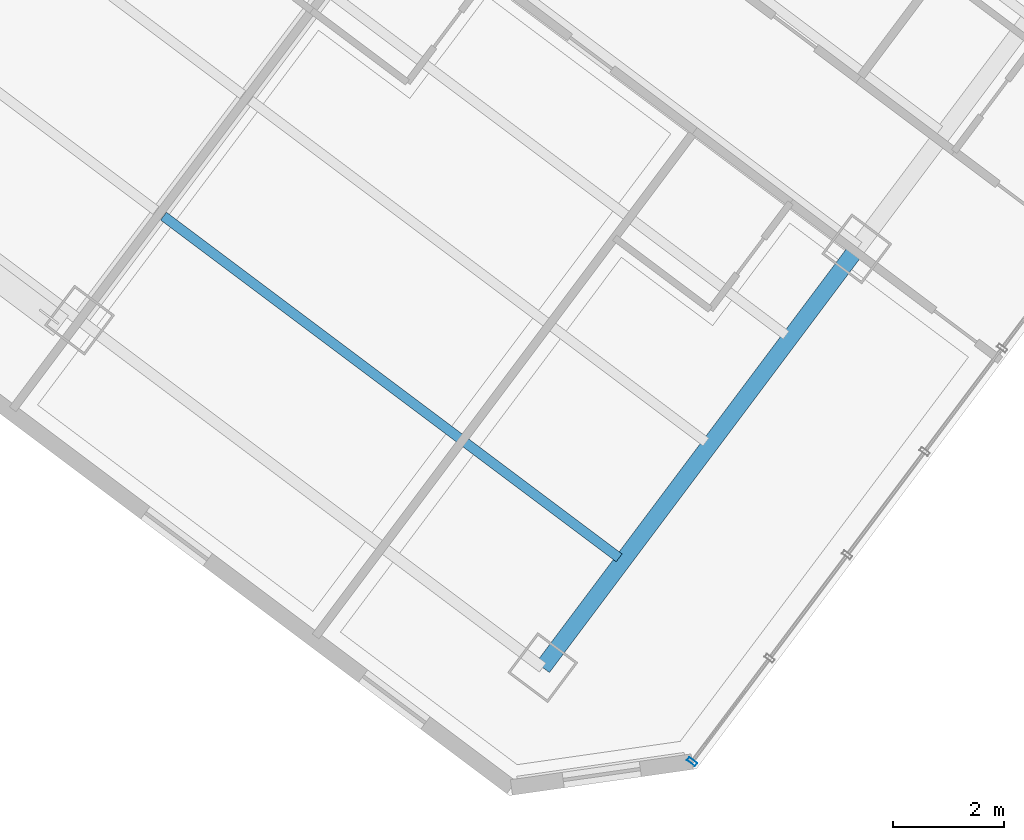
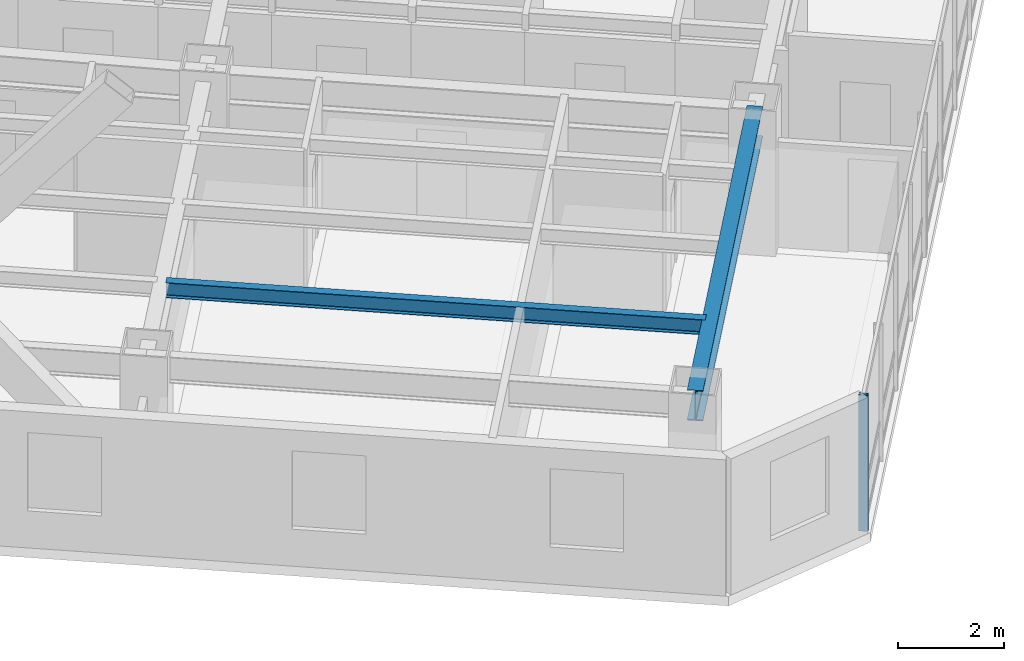
# One storey, part 6 of 30: 2 beams, 1 member, 1 element without a shape of its own.
"""IFC4 building model written with IfcOpenShell, lengths in metres."""

import ifcopenshell
import ifcopenshell.guid

model = None  # the IFC model being written
_history = None  # IfcOwnerHistory: only IFC2X3 demands one
_inside = {}  # id of a spatial element -> (the spatial element, [elements in it])
_under = {}  # id of a project, library or spatial element -> (it, [spatial elements below it])
_declared = {}  # id of a project -> (the project, [libraries it declares])
_typed = {}  # id of a type object -> (the type object, [elements of that type])
_made_of = {}  # id of a material, layer set ... -> (it, [elements and type objects made of it])


def new_model(schema):
    """Start an empty IFC model of exactly this schema.

    Asked for "IFC4X3", IfcOpenShell would pick the latest addendum, in which some entities
    have other attributes; the version numbers below select the first issue.
    IFC2X3 requires an IfcOwnerHistory on every rooted entity: one is made here for all.
    """
    global model, _history
    if schema == "IFC4X3":
        model = ifcopenshell.file(schema_version=(4, 3, 0, 0))
    else:
        model = ifcopenshell.file(schema=schema)
    _inside.clear()
    _under.clear()
    _declared.clear()
    _typed.clear()
    _made_of.clear()
    _history = None
    if model.schema == "IFC2X3":
        org = make("IfcOrganization", Name="unknown")
        user = make(
            "IfcPersonAndOrganization",
            ThePerson=make("IfcPerson", FamilyName="unknown"),
            TheOrganization=org,
        )
        app = make(
            "IfcApplication",
            ApplicationDeveloper=org,
            Version="unknown",
            ApplicationFullName="unknown",
            ApplicationIdentifier="unknown",
        )
        _history = make(
            "IfcOwnerHistory",
            OwningUser=user,
            OwningApplication=app,
            ChangeAction="ADDED",
            CreationDate=0,
        )
    return model


def make(cls, **values):
    """One entity of the class cls with the attributes given. An attribute that is None is left unset."""
    return model.create_entity(
        cls, **{name: value for name, value in values.items() if value is not None}
    )


def rooted(cls, **values):
    """An entity with a GlobalId (a new one), such as an element, a storey or a relation."""
    return make(cls, GlobalId=ifcopenshell.guid.new(), OwnerHistory=_history, **values)


def si_unit(unit_type, name, prefix=None):
    """IfcSIUnit, for example si_unit("LENGTHUNIT", "METRE", prefix="MILLI")."""
    return make("IfcSIUnit", UnitType=unit_type, Prefix=prefix, Name=name)


def assignment(units):
    """IfcUnitAssignment: the units of a project."""
    return None if units is None else make("IfcUnitAssignment", Units=units)


def point(xyz):
    """IfcCartesianPoint."""
    return None if xyz is None else make("IfcCartesianPoint", Coordinates=xyz)


def direction(xyz):
    """IfcDirection."""
    return None if xyz is None else make("IfcDirection", DirectionRatios=xyz)


def frame(location, z_axis=None, x_axis=None):
    """IfcAxis2Placement3D, a coordinate frame: its origin and axes. An axis left out is left unset."""
    return make(
        "IfcAxis2Placement3D",
        Location=point(location),
        Axis=direction(z_axis),
        RefDirection=direction(x_axis),
    )


def frame_2d(location, x_axis=None):
    """IfcAxis2Placement2D, a coordinate frame in the plane: its origin and x axis."""
    return make(
        "IfcAxis2Placement2D", Location=point(location), RefDirection=direction(x_axis)
    )


def origin():
    """The frame at (0, 0, 0) with its axes left unset."""
    return frame((0.0, 0.0, 0.0))


def origin_2d():
    """The frame at (0, 0) in the plane with its x axis left unset."""
    return frame_2d((0.0, 0.0))


def place(relative_to, where):
    """IfcLocalPlacement: puts the frame where relative to a parent placement (None: the world)."""
    return make(
        "IfcLocalPlacement", PlacementRelTo=relative_to, RelativePlacement=where
    )


def context(
    kind, dimensions, precision=None, world=None, true_north=None, identifier=None
):
    """IfcGeometricRepresentationContext, for example the 3D "Model" context."""
    return make(
        "IfcGeometricRepresentationContext",
        ContextIdentifier=identifier,
        ContextType=kind,
        CoordinateSpaceDimension=dimensions,
        Precision=precision,
        WorldCoordinateSystem=world,
        TrueNorth=true_north,
    )


def subcontext(parent, identifier, kind, view, scale=None):
    """IfcGeometricRepresentationSubContext, for example "Body" below "Model"."""
    return make(
        "IfcGeometricRepresentationSubContext",
        ContextIdentifier=identifier,
        ContextType=kind,
        ParentContext=parent,
        TargetScale=scale,
        TargetView=view,
    )


def project(units=None, contexts=None):
    """IfcProject with its units and contexts."""
    return rooted(
        "IfcProject",
        Name="project",
        RepresentationContexts=contexts,
        UnitsInContext=assignment(units),
    )


def spatial(cls, under=None, at=None, **own):
    """A site, building, storey or space (cls), placed at a placement, below another one or the project."""
    s = rooted(cls, ObjectPlacement=at, **own)
    if under is not None:
        _under.setdefault(under.id(), (under, []))[1].append(s)
    return s


def profile(cls, at=None, kind="AREA", **sizes):
    """A parametric profile (cls). Its sizes go by their IFC names, for example OverallWidth=200.0."""
    return make(cls, ProfileType=kind, Position=at, **sizes)


def hollow_rectangle(**sizes):
    """IfcRectangleHollowProfileDef."""
    return profile("IfcRectangleHollowProfileDef", **sizes)


def i_section(**sizes):
    """IfcIShapeProfileDef."""
    return profile("IfcIShapeProfileDef", **sizes)


def extrude(swept, where, along, depth):
    """IfcExtrudedAreaSolid: the profile swept, set in the frame where, extruded along a direction by depth."""
    return make(
        "IfcExtrudedAreaSolid",
        SweptArea=swept,
        Position=where,
        ExtrudedDirection=direction(along),
        Depth=depth,
    )


def shape(context_of_items, identifier, shape_type, items):
    """IfcShapeRepresentation: the items that make up one representation, for example the "Body"."""
    return make(
        "IfcShapeRepresentation",
        ContextOfItems=context_of_items,
        RepresentationIdentifier=identifier,
        RepresentationType=shape_type,
        Items=items,
    )


def material(Name=None, Category=None):
    """IfcMaterial."""
    return make("IfcMaterial", Name=Name, Category=Category)


def layer(
    of_material, thickness, ventilated=None, Name=None, Category=None, Priority=None
):
    """IfcMaterialLayer: one layer of a wall or slab, of a material (None: an air gap)."""
    return make(
        "IfcMaterialLayer",
        Material=of_material,
        LayerThickness=thickness,
        IsVentilated=ventilated,
        Name=Name,
        Category=Category,
        Priority=Priority,
    )


def layer_set(layers, Name=None):
    """IfcMaterialLayerSet."""
    return make("IfcMaterialLayerSet", MaterialLayers=layers, LayerSetName=Name)


def material_profile(
    of_material, cross_section, Name=None, Category=None, Priority=None
):
    """IfcMaterialProfile: a cross section and its material."""
    return make(
        "IfcMaterialProfile",
        Name=Name,
        Material=of_material,
        Profile=cross_section,
        Priority=Priority,
        Category=Category,
    )


def profile_set(profiles, Name=None, composite=None):
    """IfcMaterialProfileSet."""
    return make(
        "IfcMaterialProfileSet",
        Name=Name,
        MaterialProfiles=profiles,
        CompositeProfile=composite,
    )


def made_of(thing, what):
    """Note that an element or type object is made of a material, layer set ...; save() writes the relation."""
    if what is not None:
        _made_of.setdefault(what.id(), (what, []))[1].append(thing)
    return thing


def type_object(cls, material=None, **own):
    """A type object (cls), such as IfcWallType, which elements share."""
    return made_of(rooted(cls, **own), material)


def element(
    cls,
    number,
    at=None,
    inside=None,
    cuts=None,
    type_object=None,
    material=None,
    context=None,
    identifier="Body",
    shape_type=None,
    held_by="IfcProductDefinitionShape",
    body=None,
    shapes=None,
    **own,
):
    """One element of the class cls, such as IfcWall. Its Tag is "e" and its number.

    at: its placement. inside: the storey or other place that contains it. cuts: it is an
    opening in that element (IfcRelVoidsElement). A single representation is given by context,
    identifier, shape_type and body (its items); several are given by shapes. held_by: the class
    of the entity that holds the representations. save() writes the other relations.
    """
    e = rooted(cls, Tag="e%d" % number, ObjectPlacement=at, **own)
    if body is not None:
        shapes = [shape(context, identifier, shape_type, body)]
    if shapes is not None:
        e.Representation = make(held_by, Representations=shapes)
    if inside is not None:
        _inside.setdefault(inside.id(), (inside, []))[1].append(e)
    if cuts is not None:
        rooted(
            "IfcRelVoidsElement", RelatingBuildingElement=cuts, RelatedOpeningElement=e
        )
    if type_object is not None:
        _typed.setdefault(type_object.id(), (type_object, []))[1].append(e)
    return made_of(e, material)


def aggregate(whole, parts):
    """IfcRelAggregates: a whole, such as a stair, and the parts it consists of."""
    return rooted("IfcRelAggregates", RelatingObject=whole, RelatedObjects=parts)


def save(model, path):
    """Write the relations noted so far, then the file.

    IfcRelAggregates (storeys below a building ...), IfcRelContainedInSpatialStructure (elements
    in a storey), IfcRelDefinesByType, IfcRelAssociatesMaterial and IfcRelDeclares: one each for
    every whole, place, type object, material and project.
    """
    for whole, parts in _under.values():
        aggregate(whole, parts)
    for where, things in _inside.values():
        rooted(
            "IfcRelContainedInSpatialStructure",
            RelatedElements=things,
            RelatingStructure=where,
        )
    for kind, things in _typed.values():
        rooted("IfcRelDefinesByType", RelatedObjects=things, RelatingType=kind)
    for what, things in _made_of.values():
        rooted("IfcRelAssociatesMaterial", RelatedObjects=things, RelatingMaterial=what)
    for by, libraries in _declared.values():
        rooted("IfcRelDeclares", RelatingContext=by, RelatedDefinitions=libraries)
    model.write(path)


model = new_model("IFC4")

# Units and contexts
model_context = context("Model", 3, precision=1e-05, world=origin(), true_north=direction((0.0, 1.0)))
body_context = subcontext(model_context, "Body", "Model", "MODEL_VIEW")
ifc_project = project(units=[si_unit("LENGTHUNIT", "METRE"), si_unit("AREAUNIT", "SQUARE_METRE"), si_unit("VOLUMEUNIT", "CUBIC_METRE"), si_unit("PLANEANGLEUNIT", "RADIAN"), si_unit("MASSUNIT", "GRAM", prefix="KILO")], contexts=[model_context])

# Site, building, storey
site_placement = place(None, origin())
site = spatial("IfcSite", under=ifc_project, at=site_placement, CompositionType="ELEMENT")
building_placement = place(site_placement, origin())
building = spatial("IfcBuilding", under=site, at=building_placement, Name="Hatsunagi Terrace Concourse", CompositionType="ELEMENT")
storey_placement = place(building_placement, frame((0.0, 0.0, 74.60009765625)))
storey = spatial("IfcBuildingStorey", under=building, at=storey_placement, Name="L19", CompositionType="ELEMENT", Elevation=74.60009765625)

# Curtain wall, member
ifc_material_1 = material(Name="Anodised Aluminium Alloy 6063-T5", Category="aluminium")
ifc_layer = layer(ifc_material_1, 0.199951171875)
ifc_layer_set = layer_set([ifc_layer], Name="HotelFacade_CW02")
curtain_wall_type = type_object("IfcCurtainWallType", Name="HotelFacade_CW02", PredefinedType="NOTDEFINED", material=ifc_layer_set)
curtain_wall_placement = place(storey_placement, origin())
curtain_wall = element("IfcCurtainWall", 1, at=curtain_wall_placement, inside=storey, type_object=curtain_wall_type, Name="Unitised Curtain Wall CW-02 CW-L19-03", PredefinedType="NOTDEFINED")
ifc_material_2 = material(Name="Anodised Aluminium Alloy 6063-T5", Category="aluminium")
ifc_material_profile_1 = material_profile(ifc_material_2, hollow_rectangle(XDim=0.070068359375, YDim=0.179931640625, WallThickness=0.00390625, at=origin_2d()), Name="ALU-MUL-180x70x4")
ifc_profile_set_1 = profile_set([ifc_material_profile_1], Name="Anodised Aluminium Alloy 6063-T5")
member_type = type_object("IfcMemberType", Name="CurtainWallMullion_180x70", PredefinedType="MULLION", material=ifc_profile_set_1)
member_placement = place(storey_placement, frame((56.56298828125, 2.949951171875, 0.0), z_axis=(0.0, 0.0, 1.0), x_axis=(-0.599969314634, -0.800023013105, 0.0)))
member = element("IfcMember", 2, at=member_placement, type_object=member_type, Name="Curtain Wall Mullion MUL-02", PredefinedType="MULLION", context=body_context, shape_type="SweptSolid", body=[
    extrude(hollow_rectangle(XDim=0.070068359375, YDim=0.179931640625, WallThickness=0.00390625, at=origin_2d()), origin(), (0.0, 0.0, 1.0), 3.1298828125),
])
aggregate(curtain_wall, [member])

# Beams
ifc_material_3 = material(Name="Steel SN490B", Category="steel")
ifc_material_profile_2 = material_profile(ifc_material_3, i_section(OverallWidth=0.300048828125, OverallDepth=0.699951171875, WebThickness=0.012939453125, FlangeThickness=0.02392578125, FilletRadius=0.02197265625, at=origin_2d()), Name="H-700x300x13x24")
ifc_profile_set_2 = profile_set([ifc_material_profile_2], Name="Steel SN490B")
beam_type_1 = type_object("IfcBeamType", Name="HotelFloorGirder_H_700x300", PredefinedType="BEAM", material=ifc_profile_set_2)
beam_1_placement = place(storey_placement, frame((53.8798828125, 4.639892578125, 2.77978515625), z_axis=(0.600008311051, 0.799993766644, 0.0), x_axis=(-0.799993766644, 0.600008311051, 0.0)))
element("IfcBeam", 3, at=beam_1_placement, inside=storey, type_object=beam_type_1, Name="Beam G-04 BM-L19-SET-3A", PredefinedType="BEAM", context=body_context, shape_type="SweptSolid", body=[
    extrude(i_section(OverallWidth=0.300048828125, OverallDepth=0.699951171875, WebThickness=0.012939453125, FlangeThickness=0.02392578125, FilletRadius=0.02197265625, at=origin_2d()), origin(), (0.0, 0.0, 1.0), 9.400146484375),
])
ifc_material_4 = material(Name="Steel SN490B", Category="steel")
ifc_material_profile_3 = material_profile(ifc_material_4, i_section(OverallWidth=0.175048828125, OverallDepth=0.35009765625, WebThickness=0.007080078125, FlangeThickness=0.010986328125, FilletRadius=0.012939453125, at=origin_2d()), Name="H-350x175x7x11")
ifc_profile_set_3 = profile_set([ifc_material_profile_3], Name="Steel SN490B")
beam_type_2 = type_object("IfcBeamType", Name="HotelJoist_H_350x175", PredefinedType="JOIST", material=ifc_profile_set_3)
beam_2_placement = place(storey_placement, frame((47.068115234375, 12.7490234375, 2.954833984375), z_axis=(0.799997136125, -0.600003818481, 0.0), x_axis=(0.600003818481, 0.799997136125, 0.0)))
element("IfcBeam", 4, at=beam_2_placement, inside=storey, type_object=beam_type_2, Name="Beam J-02 J-L19-SE-3-46", PredefinedType="JOIST", context=body_context, shape_type="SweptSolid", body=[
    extrude(i_section(OverallWidth=0.175048828125, OverallDepth=0.35009765625, WebThickness=0.007080078125, FlangeThickness=0.010986328125, FilletRadius=0.012939453125, at=origin_2d()), origin(), (0.0, 0.0, 1.0), 10.229736328125),
])

save(model, "model.ifc")
